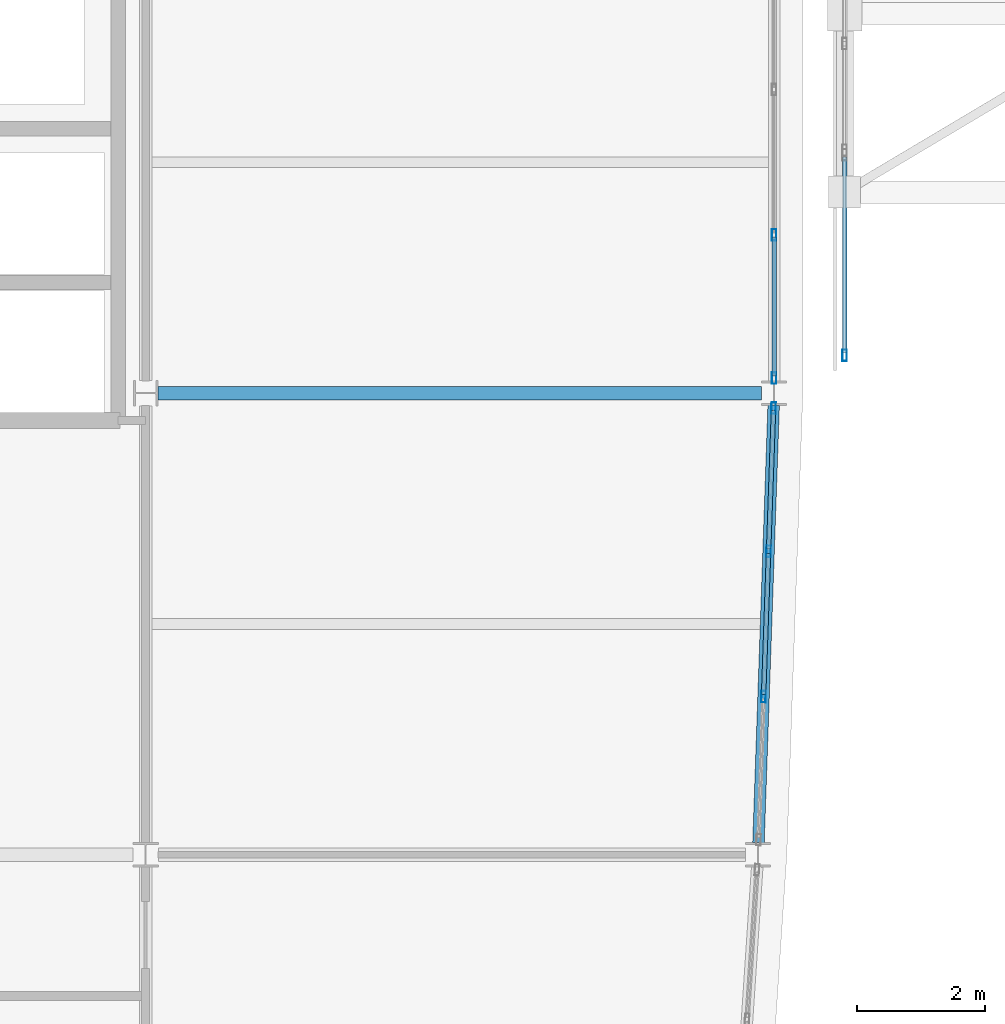
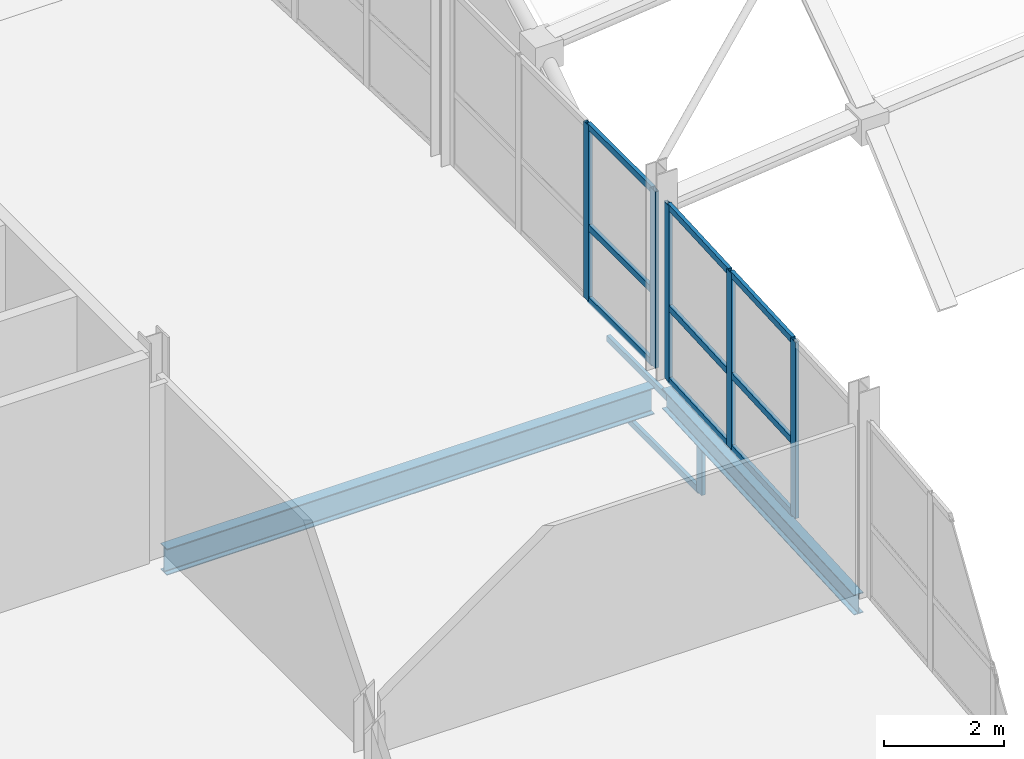
# One storey, part 18 of 65: 17 members, 2 beams, 3 elements without a shape of their own.
"""IFC4 building model written with IfcOpenShell, lengths in metres."""

from ifc_helpers import new_model, si_unit, direction, frame, origin, origin_2d, place, context, subcontext, project, spatial, hollow_rectangle, i_section, extrude, material, layer, layer_set, material_profile, profile_set, type_object, element, aggregate, save


model = new_model("IFC4")

# Units and contexts
model_context = context("Model", 3, precision=1e-05, world=origin(), true_north=direction((0.0, 1.0)))
body_context = subcontext(model_context, "Body", "Model", "MODEL_VIEW")
ifc_project = project(units=[si_unit("LENGTHUNIT", "METRE"), si_unit("AREAUNIT", "SQUARE_METRE"), si_unit("VOLUMEUNIT", "CUBIC_METRE"), si_unit("PLANEANGLEUNIT", "RADIAN"), si_unit("MASSUNIT", "GRAM", prefix="KILO")], contexts=[model_context])

# Site, building, storey
site_placement = place(None, origin())
site = spatial("IfcSite", under=ifc_project, at=site_placement, CompositionType="ELEMENT")
building_placement = place(site_placement, origin())
building = spatial("IfcBuilding", under=site, at=building_placement, Name="Quillay Park Conservatory", CompositionType="ELEMENT")
storey_placement = place(building_placement, frame((0.0, 0.0, 14.10009765625)))
storey = spatial("IfcBuildingStorey", under=building, at=storey_placement, Name="L03", CompositionType="ELEMENT", Elevation=14.10009765625)

# Curtain wall, members
ifc_material_1 = material(Name="Thermally Broken Anodised Aluminium 6063-T6", Category="aluminium")
ifc_layer_1 = layer(ifc_material_1, 0.179931640625)
ifc_layer_set_1 = layer_set([ifc_layer_1], Name="UNITISED CURTAIN WALL TOWER (Thermally Broken Anodised Aluminium 6063-T6)")
curtain_wall_type_1 = type_object("IfcCurtainWallType", Name="UNITISED CURTAIN WALL TOWER", PredefinedType="USERDEFINED", material=ifc_layer_set_1)
curtain_wall_1_placement = place(storey_placement, origin())
curtain_wall_1 = element("IfcCurtainWall", 1, at=curtain_wall_1_placement, inside=storey, type_object=curtain_wall_type_1, Name="L03 Unitised Curtain Wall 030", ObjectType="UNITISED CURTAIN WALL", PredefinedType="USERDEFINED")
ifc_material_2 = material(Name="Thermally Broken Anodised Aluminium 6063-T6", Category="aluminium")
ifc_material_profile_1 = material_profile(ifc_material_2, hollow_rectangle(XDim=0.070068359375, YDim=0.179931640625, WallThickness=0.00390625, at=origin_2d()), Name="AL70x180x4")
ifc_profile_set_1 = profile_set([ifc_material_profile_1], Name="Thermally Broken Anodised Aluminium 6063-T6")
member_type_1 = type_object("IfcMemberType", Name="CURTAIN WALL MULLION 70 X180", PredefinedType="MULLION", material=ifc_profile_set_1)
member_1_placement = place(storey_placement, frame((29.5419921875, 84.965087890625, 0.0), z_axis=(0.0, 0.0, 1.0), x_axis=(0.999397310446, -0.034713338537, 0.0)))
member_1 = element("IfcMember", 2, at=member_1_placement, type_object=member_type_1, Name="CW-T1 mullion 1", PredefinedType="MULLION", context=body_context, shape_type="SweptSolid", body=[
    extrude(hollow_rectangle(XDim=0.070068359375, YDim=0.179931640625, WallThickness=0.00390625, at=origin_2d()), origin(), (0.0, 0.0, 1.0), 3.598876953125),
])
member_2_placement = place(storey_placement, frame((29.46435546875, 82.7333984375, 0.0), z_axis=(0.0, 0.0, 1.0), x_axis=(0.999397310446, -0.034713338537, 0.0)))
member_2 = element("IfcMember", 3, at=member_2_placement, type_object=member_type_1, Name="CW-T1 mullion 2", PredefinedType="MULLION", context=body_context, shape_type="SweptSolid", body=[
    extrude(hollow_rectangle(XDim=0.070068359375, YDim=0.179931640625, WallThickness=0.00390625, at=origin_2d()), origin(), (0.0, 0.0, 1.0), 3.598876953125),
])
member_3_placement = place(storey_placement, frame((29.3857421875, 80.466552734375, 0.0), z_axis=(0.0, 0.0, 1.0), x_axis=(0.999397310446, -0.034713338537, 0.0)))
member_3 = element("IfcMember", 4, at=member_3_placement, type_object=member_type_1, Name="CW-T1 mullion 3", PredefinedType="MULLION", context=body_context, shape_type="SweptSolid", body=[
    extrude(hollow_rectangle(XDim=0.070068359375, YDim=0.179931640625, WallThickness=0.00390625, at=origin_2d()), origin(), (0.0, 0.0, 1.0), 3.598876953125),
])

curtain_wall_2_placement = place(storey_placement, origin())
curtain_wall_2 = element("IfcCurtainWall", 5, at=curtain_wall_2_placement, inside=storey, type_object=curtain_wall_type_1, Name="L03 Unitised Curtain Wall 031", ObjectType="UNITISED CURTAIN WALL", PredefinedType="USERDEFINED")
member_4_placement = place(storey_placement, frame((29.550048828125, 87.666748046875, 0.0), z_axis=(0.0, 0.0, 1.0), x_axis=(1.0, 0.0, 0.0)))
member_4 = element("IfcMember", 6, at=member_4_placement, type_object=member_type_1, Name="CW-T1 mullion 3", PredefinedType="MULLION", context=body_context, shape_type="SweptSolid", body=[
    extrude(hollow_rectangle(XDim=0.070068359375, YDim=0.179931640625, WallThickness=0.00390625, at=origin_2d()), origin(), (0.0, 0.0, 1.0), 3.598876953125),
])
member_5_placement = place(storey_placement, frame((29.550048828125, 85.43505859375, 0.0), z_axis=(0.0, 0.0, 1.0), x_axis=(1.0, 0.0, 0.0)))
member_5 = element("IfcMember", 7, at=member_5_placement, type_object=member_type_1, Name="CW-T1 mullion 4", PredefinedType="MULLION", context=body_context, shape_type="SweptSolid", body=[
    extrude(hollow_rectangle(XDim=0.070068359375, YDim=0.179931640625, WallThickness=0.00390625, at=origin_2d()), origin(), (0.0, 0.0, 1.0), 3.598876953125),
])

# Curtain wall, member
ifc_material_3 = material(Name="Thermally Broken Anodised Aluminium 6063-T6", Category="aluminium")
ifc_layer_2 = layer(ifc_material_3, 0.219970703125)
ifc_layer_set_2 = layer_set([ifc_layer_2], Name="UNITISED CURTAIN WALL CONSERVATORY (Thermally Broken Anodised Aluminium 6063-T6)")
curtain_wall_type_2 = type_object("IfcCurtainWallType", Name="UNITISED CURTAIN WALL CONSERVATORY", PredefinedType="USERDEFINED", material=ifc_layer_set_2)
curtain_wall_3_placement = place(storey_placement, origin())
curtain_wall_3 = element("IfcCurtainWall", 8, at=curtain_wall_3_placement, inside=storey, type_object=curtain_wall_type_2, Name="L03 Unitised Curtain Wall 175", ObjectType="UNITISED CURTAIN WALL", PredefinedType="USERDEFINED")
member_6_placement = place(storey_placement, frame((30.64990234375, 85.7900390625, -3.2001953125), z_axis=(0.0, 0.0, 1.0), x_axis=(-1.0, 0.0, 0.0)))
member_6 = element("IfcMember", 9, at=member_6_placement, type_object=member_type_1, Name="CW-C1 mullion 1", PredefinedType="MULLION", context=body_context, shape_type="SweptSolid", body=[
    extrude(hollow_rectangle(XDim=0.070068359375, YDim=0.179931640625, WallThickness=0.00390625, at=origin_2d()), origin(), (0.0, 0.0, 1.0), 1.318115234375),
])

# Member
ifc_material_4 = material(Name="Thermally Broken Anodised Aluminium 6063-T6", Category="aluminium")
ifc_material_profile_2 = material_profile(ifc_material_4, hollow_rectangle(XDim=0.070068359375, YDim=0.1298828125, WallThickness=0.003173828125, at=origin_2d()), Name="AL70x130x3.2")
ifc_profile_set_2 = profile_set([ifc_material_profile_2], Name="Thermally Broken Anodised Aluminium 6063-T6")
member_type_2 = type_object("IfcMemberType", Name="CURTAIN WALL TRANSOM 70 X130", PredefinedType="USERDEFINED", material=ifc_profile_set_2)
member_7_placement = place(storey_placement, frame((29.540771484375, 84.93017578125, 0.034912109375), z_axis=(-0.034761587249, -0.999395633396, 0.0), x_axis=(0.999395633396, -0.034761587249, 0.0)))
member_7 = element("IfcMember", 10, at=member_7_placement, type_object=member_type_2, Name="CW-T1 transom 1.1", ObjectType="TRANSOM", PredefinedType="USERDEFINED", context=body_context, shape_type="SweptSolid", body=[
    extrude(hollow_rectangle(XDim=0.070068359375, YDim=0.1298828125, WallThickness=0.003173828125, at=origin_2d()), origin(), (0.0, 0.0, 1.0), 2.1630859375),
])

member_8_placement = place(storey_placement, frame((29.540771484375, 84.93017578125, 1.511474609375), z_axis=(-0.034761587249, -0.999395633396, 0.0), x_axis=(0.999395633396, -0.034761587249, 0.0)))
member_8 = element("IfcMember", 11, at=member_8_placement, type_object=member_type_2, Name="CW-T1 transom 1.2", ObjectType="TRANSOM", PredefinedType="USERDEFINED", context=body_context, shape_type="SweptSolid", body=[
    extrude(hollow_rectangle(XDim=0.070068359375, YDim=0.1298828125, WallThickness=0.003173828125, at=origin_2d()), origin(), (0.0, 0.0, 1.0), 2.1630859375),
])

member_9_placement = place(storey_placement, frame((29.540771484375, 84.93017578125, 3.56396484375), z_axis=(-0.034761587249, -0.999395633396, 0.0), x_axis=(0.999395633396, -0.034761587249, 0.0)))
member_9 = element("IfcMember", 12, at=member_9_placement, type_object=member_type_2, Name="CW-T1 transom 1.3", ObjectType="TRANSOM", PredefinedType="USERDEFINED", context=body_context, shape_type="SweptSolid", body=[
    extrude(hollow_rectangle(XDim=0.070068359375, YDim=0.1298828125, WallThickness=0.003173828125, at=origin_2d()), origin(), (0.0, 0.0, 1.0), 2.1630859375),
])

member_10_placement = place(storey_placement, frame((29.463134765625, 82.698486328125, 0.034912109375), z_axis=(-0.034653546152, -0.999399385501, 0.0), x_axis=(0.999399385501, -0.034653546152, 0.0)))
member_10 = element("IfcMember", 13, at=member_10_placement, type_object=member_type_2, Name="CW-T1 transom 2.1", ObjectType="TRANSOM", PredefinedType="USERDEFINED", context=body_context, shape_type="SweptSolid", body=[
    extrude(hollow_rectangle(XDim=0.070068359375, YDim=0.1298828125, WallThickness=0.003173828125, at=origin_2d()), origin(), (0.0, 0.0, 1.0), 2.197998046875),
])

member_11_placement = place(storey_placement, frame((29.463134765625, 82.698486328125, 1.511474609375), z_axis=(-0.034653546152, -0.999399385501, 0.0), x_axis=(0.999399385501, -0.034653546152, 0.0)))
member_11 = element("IfcMember", 14, at=member_11_placement, type_object=member_type_2, Name="CW-T1 transom 2.2", ObjectType="TRANSOM", PredefinedType="USERDEFINED", context=body_context, shape_type="SweptSolid", body=[
    extrude(hollow_rectangle(XDim=0.070068359375, YDim=0.1298828125, WallThickness=0.003173828125, at=origin_2d()), origin(), (0.0, 0.0, 1.0), 2.197998046875),
])

member_12_placement = place(storey_placement, frame((29.463134765625, 82.698486328125, 3.56396484375), z_axis=(-0.034653546152, -0.999399385501, 0.0), x_axis=(0.999399385501, -0.034653546152, 0.0)))
member_12 = element("IfcMember", 15, at=member_12_placement, type_object=member_type_2, Name="CW-T1 transom 2.3", ObjectType="TRANSOM", PredefinedType="USERDEFINED", context=body_context, shape_type="SweptSolid", body=[
    extrude(hollow_rectangle(XDim=0.070068359375, YDim=0.1298828125, WallThickness=0.003173828125, at=origin_2d()), origin(), (0.0, 0.0, 1.0), 2.197998046875),
])

aggregate(curtain_wall_1, [member_1, member_2, member_3, member_7, member_8, member_9, member_10, member_11, member_12])

member_13_placement = place(storey_placement, frame((29.550048828125, 87.631591796875, 0.034912109375), z_axis=(0.0, -1.0, 0.0), x_axis=(1.0, 0.0, 0.0)))
member_13 = element("IfcMember", 16, at=member_13_placement, type_object=member_type_2, Name="CW-T1 transom 3.1", ObjectType="TRANSOM", PredefinedType="USERDEFINED", context=body_context, shape_type="SweptSolid", body=[
    extrude(hollow_rectangle(XDim=0.070068359375, YDim=0.1298828125, WallThickness=0.003173828125, at=origin_2d()), origin(), (0.0, 0.0, 1.0), 2.16162109375),
])

member_14_placement = place(storey_placement, frame((29.550048828125, 87.631591796875, 1.511474609375), z_axis=(0.0, -1.0, 0.0), x_axis=(1.0, 0.0, 0.0)))
member_14 = element("IfcMember", 17, at=member_14_placement, type_object=member_type_2, Name="CW-T1 transom 3.2", ObjectType="TRANSOM", PredefinedType="USERDEFINED", context=body_context, shape_type="SweptSolid", body=[
    extrude(hollow_rectangle(XDim=0.070068359375, YDim=0.1298828125, WallThickness=0.003173828125, at=origin_2d()), origin(), (0.0, 0.0, 1.0), 2.16162109375),
])

member_15_placement = place(storey_placement, frame((29.550048828125, 87.631591796875, 3.56396484375), z_axis=(0.0, -1.0, 0.0), x_axis=(1.0, 0.0, 0.0)))
member_15 = element("IfcMember", 18, at=member_15_placement, type_object=member_type_2, Name="CW-T1 transom 3.3", ObjectType="TRANSOM", PredefinedType="USERDEFINED", context=body_context, shape_type="SweptSolid", body=[
    extrude(hollow_rectangle(XDim=0.070068359375, YDim=0.1298828125, WallThickness=0.003173828125, at=origin_2d()), origin(), (0.0, 0.0, 1.0), 2.16162109375),
])

aggregate(curtain_wall_2, [member_4, member_5, member_13, member_14, member_15])

member_16_placement = place(storey_placement, frame((30.64990234375, 85.824951171875, -3.1650390625), z_axis=(0.0, 1.0, 0.0), x_axis=(-1.0, 0.0, 0.0)))
member_16 = element("IfcMember", 19, at=member_16_placement, type_object=member_type_2, Name="CW-C1 transom 1.1", ObjectType="TRANSOM", PredefinedType="USERDEFINED", context=body_context, shape_type="SweptSolid", body=[
    extrude(hollow_rectangle(XDim=0.070068359375, YDim=0.1298828125, WallThickness=0.003173828125, at=origin_2d()), origin(), (0.0, 0.0, 1.0), 3.054931640625),
])

member_17_placement = place(storey_placement, frame((30.64990234375, 85.824951171875, -1.917236328125), z_axis=(0.0, 1.0, 0.0), x_axis=(-1.0, 0.0, 0.0)))
member_17 = element("IfcMember", 20, at=member_17_placement, type_object=member_type_2, Name="CW-C1 transom 1.2", ObjectType="TRANSOM", PredefinedType="USERDEFINED", context=body_context, shape_type="SweptSolid", body=[
    extrude(hollow_rectangle(XDim=0.070068359375, YDim=0.1298828125, WallThickness=0.003173828125, at=origin_2d()), origin(), (0.0, 0.0, 1.0), 3.054931640625),
])

aggregate(curtain_wall_3, [member_6, member_16, member_17])

# Beams
ifc_material_5 = material(Name="Steel ASTM A992 Grade 50", Category="steel")
ifc_material_profile_3 = material_profile(ifc_material_5, i_section(OverallWidth=0.179931640625, OverallDepth=0.4130859375, WebThickness=0.009765625, FlangeThickness=0.01611328125, FilletRadius=0.011962890625, at=origin_2d()), Name="W410x74")
ifc_profile_set_3 = profile_set([ifc_material_profile_3], Name="Steel ASTM A992 Grade 50")
beam_type_1 = type_object("IfcBeamType", Name="PERIMETER SPANDREL BEAM W410 X74", PredefinedType="SPANDREL", material=ifc_profile_set_3)
beam_1_placement = place(storey_placement, frame((29.306640625, 78.18994140625, -0.3916015625), z_axis=(0.034702550726, 0.999397685095, 0.0), x_axis=(-0.999397685095, 0.034702550726, 0.0)))
element("IfcBeam", 21, at=beam_1_placement, inside=storey, type_object=beam_type_1, Name="L03 beam BM-SPE-0281", PredefinedType="SPANDREL", context=body_context, shape_type="SweptSolid", body=[
    extrude(i_section(OverallWidth=0.179931640625, OverallDepth=0.4130859375, WebThickness=0.009765625, FlangeThickness=0.01611328125, FilletRadius=0.011962890625, at=origin_2d()), origin(), (0.0, 0.0, 1.0), 6.82421875),
])
ifc_material_6 = material(Name="Steel ASTM A992 Grade 50", Category="steel")
ifc_material_profile_4 = material_profile(ifc_material_6, i_section(OverallWidth=0.2109375, OverallDepth=0.5390625, WebThickness=0.01171875, FlangeThickness=0.018798828125, FilletRadius=0.013916015625, at=origin_2d()), Name="W530x109")
ifc_profile_set_4 = profile_set([ifc_material_profile_4], Name="Steel ASTM A992 Grade 50")
beam_type_2 = type_object("IfcBeamType", Name="PRIMARY FLOOR GIRDER W530 X109", PredefinedType="BEAM", material=ifc_profile_set_4)
beam_2_placement = place(storey_placement, frame((19.93994140625, 85.199951171875, -0.45458984375), z_axis=(1.0, 0.0, 0.0), x_axis=(0.0, 1.0, 0.0)))
element("IfcBeam", 22, at=beam_2_placement, inside=storey, type_object=beam_type_2, Name="L03 beam BM-G-0254", PredefinedType="BEAM", context=body_context, shape_type="SweptSolid", body=[
    extrude(i_section(OverallWidth=0.2109375, OverallDepth=0.5390625, WebThickness=0.01171875, FlangeThickness=0.018798828125, FilletRadius=0.013916015625, at=origin_2d()), origin(), (0.0, 0.0, 1.0), 9.41259765625),
])

save(model, "model.ifc")
